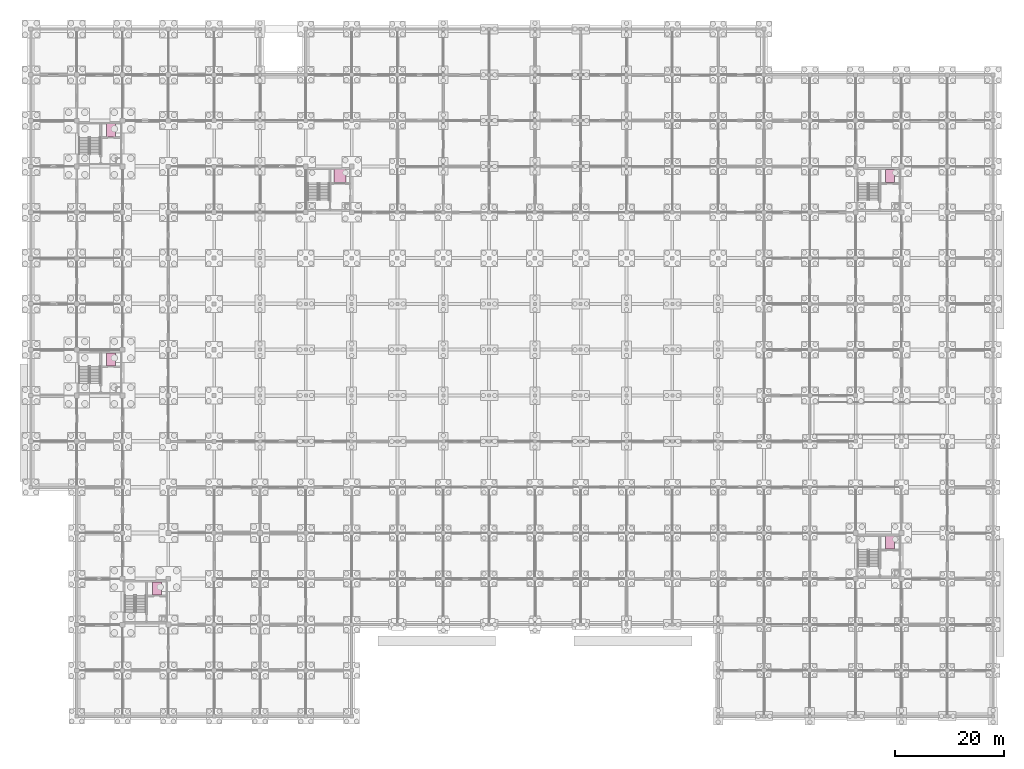
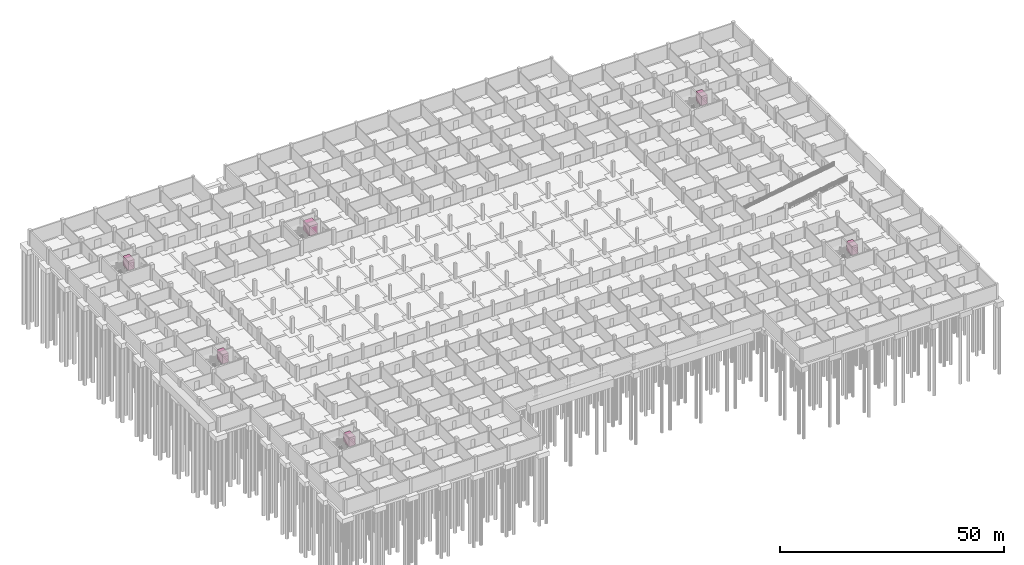
# One storey, part 43 of 43: 6 transport elements.
"""IFC4 building model written with IfcOpenShell, lengths in metres."""

from ifc_helpers import new_model, si_unit, direction, frame, origin, origin_2d, place, context, subcontext, project, spatial, rectangle, extrude, material, type_object, element, save


model = new_model("IFC4")

# Units and contexts
model_context = context("Model", 3, precision=1e-05, world=origin(), true_north=direction((0.0, 1.0)))
body_context = subcontext(model_context, "Body", "Model", "MODEL_VIEW")
ifc_project = project(units=[si_unit("LENGTHUNIT", "METRE"), si_unit("AREAUNIT", "SQUARE_METRE"), si_unit("VOLUMEUNIT", "CUBIC_METRE"), si_unit("PLANEANGLEUNIT", "RADIAN"), si_unit("MASSUNIT", "GRAM", prefix="KILO")], contexts=[model_context])

# Site, building, storey
site_placement = place(None, origin())
site = spatial("IfcSite", under=ifc_project, at=site_placement, CompositionType="ELEMENT")
building_placement = place(site_placement, origin())
building = spatial("IfcBuilding", under=site, at=building_placement, Name="Varnapada Polytechnic", CompositionType="ELEMENT")
storey_placement = place(building_placement, frame((0.0, 0.0, -4.199951171875)))
storey = spatial("IfcBuildingStorey", under=building, at=storey_placement, Name="B1", CompositionType="ELEMENT", Elevation=-4.199951171875)

# Transport elements
ifc_material = material(Name="Brushed Stainless Steel 316", Category="steel")
transport_element_type_1 = type_object("IfcTransportElementType", Name="Firefighting Lift LFT-FF", PredefinedType="ELEVATOR", material=ifc_material)
for number, where, z_axis, x_axis, name in (
    (1, (14.699951171875, 107.43994140625, 0.050048828125), (0.0, 0.0, 1.0), (1.0, 0.0, 0.0), "Core C1 firefighting lift car LFT-01"),
    (2, (14.699951171875, 65.43994140625, 0.050048828125), (0.0, 0.0, 1.0), (1.0, 0.0, 0.0), "Core C2 firefighting lift car LFT-02"),
    (3, (157.5, 99.0400390625, 0.050048828125), (0.0, 0.0, 1.0), (1.0, 0.0, 0.0), "Core C5 firefighting lift car LFT-05"),
):
    element("IfcTransportElement", number, at=place(storey_placement, frame(where, z_axis=z_axis, x_axis=x_axis)), inside=storey, type_object=transport_element_type_1, Name=name, PredefinedType="ELEVATOR", context=body_context, shape_type="SweptSolid", body=[
        extrude(rectangle(XDim=1.60009765625, YDim=2.39990234375, at=origin_2d()), origin(), (0.0, 0.0, 1.0), 2.5),
    ])
transport_element_type_2 = type_object("IfcTransportElementType", Name="Passenger Lift LFT-PA", PredefinedType="ELEVATOR", material=ifc_material)
for number, where, z_axis, x_axis, name in (
    (4, (23.10009765625, 23.43994140625, 0.050048828125), (0.0, 0.0, 1.0), (1.0, 0.0, 0.0), "Core C3 passenger lift car LFT-03"),
    (5, (157.5, 31.840087890625, 0.050048828125), (0.0, 0.0, 1.0), (1.0, 0.0, 0.0), "Core C6 passenger lift car LFT-06"),
):
    element("IfcTransportElement", number, at=place(storey_placement, frame(where, z_axis=z_axis, x_axis=x_axis)), inside=storey, type_object=transport_element_type_2, Name=name, PredefinedType="ELEVATOR", context=body_context, shape_type="SweptSolid", body=[
        extrude(rectangle(XDim=1.60009765625, YDim=2.39990234375, at=origin_2d()), origin(), (0.0, 0.0, 1.0), 2.39990234375),
    ])
transport_element_type_3 = type_object("IfcTransportElementType", Name="Workshop Goods Lift LFT-GD", PredefinedType="ELEVATOR", material=ifc_material)
transport_element_placement = place(storey_placement, frame((56.699951171875, 99.0400390625, 0.0498046875), z_axis=(0.0, 0.0, 1.0), x_axis=(1.0, 0.0, 0.0)))
element("IfcTransportElement", 6, at=transport_element_placement, inside=storey, type_object=transport_element_type_3, Name="Core C4 goods lift car LFT-04", PredefinedType="ELEVATOR", context=body_context, shape_type="SweptSolid", body=[
    extrude(rectangle(XDim=2.199951171875, YDim=2.800048828125, at=origin_2d()), origin(), (0.0, 0.0, 1.0), 2.60009765625),
])

save(model, "model.ifc")
